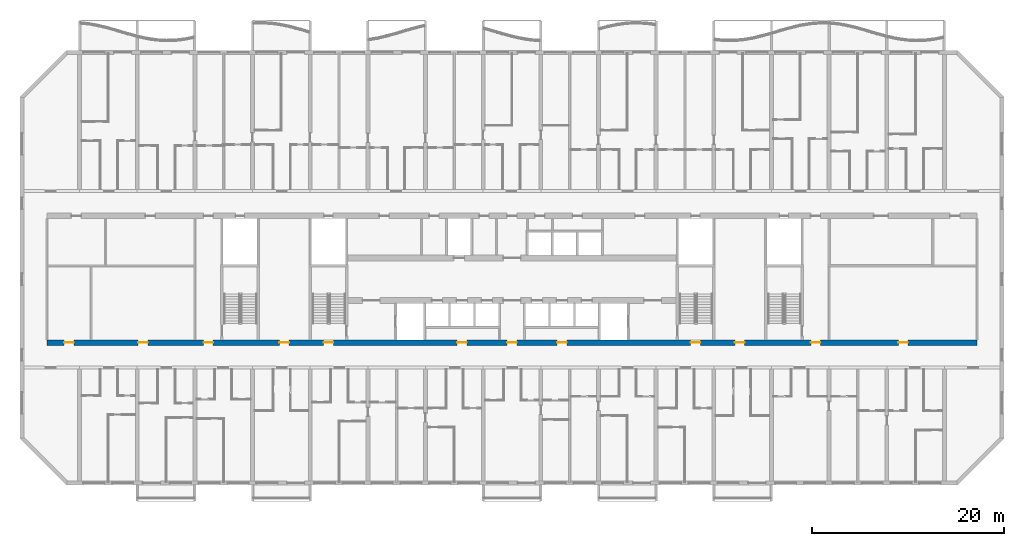
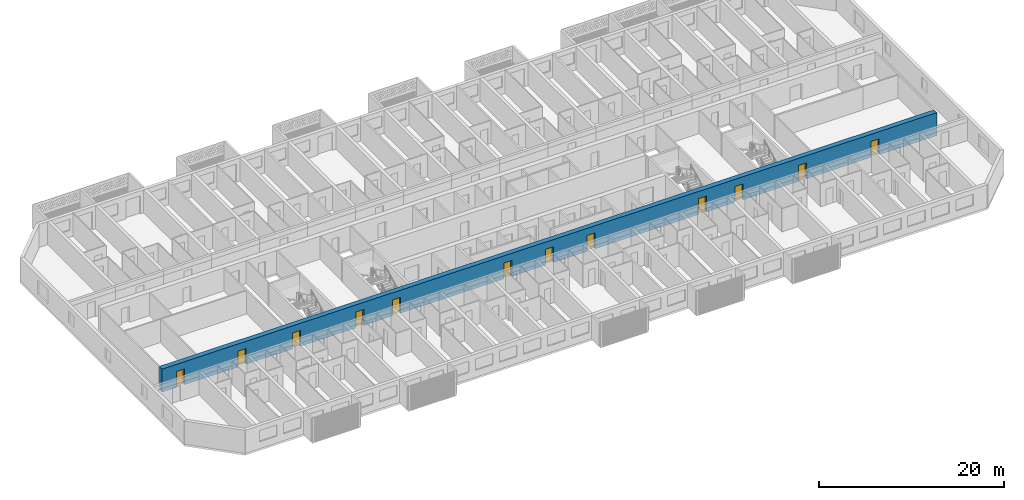
# One storey, part 7 of 40: 12 doors, 1 wall, 12 openings.
"""IFC4 building model written with IfcOpenShell, lengths in metres."""

from ifc_helpers import new_model, si_unit, direction, frame, frame_2d, origin, place, context, subcontext, project, spatial, rectangle, extrude, material, layer, layer_set, type_object, element, fill, save


model = new_model("IFC4")

# Units and contexts
model_context = context("Model", 3, precision=1e-05, world=origin(), true_north=direction((0.0, 1.0)))
body_context = subcontext(model_context, "Body", "Model", "MODEL_VIEW")
ifc_project = project(units=[si_unit("LENGTHUNIT", "METRE"), si_unit("AREAUNIT", "SQUARE_METRE"), si_unit("VOLUMEUNIT", "CUBIC_METRE"), si_unit("PLANEANGLEUNIT", "RADIAN"), si_unit("MASSUNIT", "GRAM", prefix="KILO")], contexts=[model_context])

# Site, building, storey
site_placement = place(None, origin())
site = spatial("IfcSite", under=ifc_project, at=site_placement, CompositionType="ELEMENT")
building_placement = place(site_placement, origin())
building = spatial("IfcBuilding", under=site, at=building_placement, Name="Poui Terraces", CompositionType="ELEMENT")
storey_placement = place(building_placement, frame((0.0, 0.0, 39.89990234375)))
storey = spatial("IfcBuildingStorey", under=building, at=storey_placement, Name="L10", CompositionType="ELEMENT", Elevation=39.89990234375)

# Wall, openings, doors
ifc_material_1 = material(Name="Concrete 80 MPa", Category="concrete")
ifc_layer = layer(ifc_material_1, 0.60009765625)
ifc_layer_set = layer_set([ifc_layer], Name="Concrete 80 MPa")
wall_type = type_object("IfcWallType", Name="SPINE WALL 600 80 MPA", PredefinedType="SOLIDWALL", material=ifc_layer_set)
wall_placement = place(storey_placement, frame((2.60009765625, 14.60009765625, 0.0), z_axis=(0.0, 0.0, 1.0), x_axis=(1.0, 0.0, 0.0)))
wall = element("IfcWall", 1, at=wall_placement, inside=storey, type_object=wall_type, Name="SPINE WALL", PredefinedType="SOLIDWALL", context=body_context, shape_type="SweptSolid", body=[
    extrude(rectangle(XDim=96.7998046875, YDim=0.60009765625, at=frame_2d((48.39990234375, 0.0))), origin(), (0.0, 0.0, 1.0), 3.050048828125),
])
opening_1_placement = place(wall_placement, frame((1.800048828125, 0.0, 0.0)))
opening_1 = element("IfcOpeningElement", 2, at=opening_1_placement, cuts=wall, Name="Opening FD60", PredefinedType="OPENING", context=body_context, shape_type="SweptSolid", body=[
    extrude(rectangle(XDim=1.0, YDim=2.10009765625, at=frame_2d((0.5, 1.050048828125))), frame((0.0, 0.31005859375, 0.0), z_axis=(0.0, -1.0, 0.0), x_axis=(1.0, 0.0, 0.0)), (0.0, 0.0, 1.0), 0.6201171875),
])
opening_2_placement = place(wall_placement, frame((9.5, 0.0, 0.0)))
opening_2 = element("IfcOpeningElement", 3, at=opening_2_placement, cuts=wall, Name="Opening FD60", PredefinedType="OPENING", context=body_context, shape_type="SweptSolid", body=[
    extrude(rectangle(XDim=1.0, YDim=2.10009765625, at=frame_2d((0.5, 1.050048828125))), frame((0.0, 0.31005859375, 0.0), z_axis=(0.0, -1.0, 0.0), x_axis=(1.0, 0.0, 0.0)), (0.0, 0.0, 1.0), 0.6201171875),
])
opening_3_placement = place(wall_placement, frame((16.300048828125, 0.0, 0.0)))
opening_3 = element("IfcOpeningElement", 4, at=opening_3_placement, cuts=wall, Name="Opening FDL", PredefinedType="OPENING", context=body_context, shape_type="SweptSolid", body=[
    extrude(rectangle(XDim=1.0, YDim=2.10009765625, at=frame_2d((0.5, 1.050048828125))), frame((0.0, 0.31005859375, 0.0), z_axis=(0.0, -1.0, 0.0), x_axis=(1.0, 0.0, 0.0)), (0.0, 0.0, 1.0), 0.6201171875),
])
opening_4_placement = place(wall_placement, frame((24.199951171875, 0.0, 0.0)))
opening_4 = element("IfcOpeningElement", 5, at=opening_4_placement, cuts=wall, Name="Opening D100", PredefinedType="OPENING", context=body_context, shape_type="SweptSolid", body=[
    extrude(rectangle(XDim=1.0, YDim=2.10009765625, at=frame_2d((0.5, 1.050048828125))), frame((0.0, 0.31005859375, 0.0), z_axis=(0.0, -1.0, 0.0), x_axis=(1.0, 0.0, 0.0)), (0.0, 0.0, 1.0), 0.6201171875),
])
opening_5_placement = place(wall_placement, frame((28.800048828125, 0.0, 0.0)))
opening_5 = element("IfcOpeningElement", 6, at=opening_5_placement, cuts=wall, Name="Opening FD60S", PredefinedType="OPENING", context=body_context, shape_type="SweptSolid", body=[
    extrude(rectangle(XDim=1.0, YDim=2.10009765625, at=frame_2d((0.5, 1.050048828125))), frame((0.0, 0.31005859375, 0.0), z_axis=(0.0, -1.0, 0.0), x_axis=(1.0, 0.0, 0.0)), (0.0, 0.0, 1.0), 0.6201171875),
])
opening_6_placement = place(wall_placement, frame((42.699951171875, 0.0, 0.0)))
opening_6 = element("IfcOpeningElement", 7, at=opening_6_placement, cuts=wall, Name="Opening FD60", PredefinedType="OPENING", context=body_context, shape_type="SweptSolid", body=[
    extrude(rectangle(XDim=1.0, YDim=2.10009765625, at=frame_2d((0.5, 1.050048828125))), frame((0.0, 0.31005859375, 0.0), z_axis=(0.0, -1.0, 0.0), x_axis=(1.0, 0.0, 0.0)), (0.0, 0.0, 1.0), 0.6201171875),
])
opening_7_placement = place(wall_placement, frame((47.89990234375, 0.0, 0.0)))
opening_7 = element("IfcOpeningElement", 8, at=opening_7_placement, cuts=wall, Name="Opening FDL", PredefinedType="OPENING", context=body_context, shape_type="SweptSolid", body=[
    extrude(rectangle(XDim=1.0, YDim=2.10009765625, at=frame_2d((0.5, 1.050048828125))), frame((0.0, 0.31005859375, 0.0), z_axis=(0.0, -1.0, 0.0), x_axis=(1.0, 0.0, 0.0)), (0.0, 0.0, 1.0), 0.6201171875),
])
opening_8_placement = place(wall_placement, frame((53.10009765625, 0.0, 0.0)))
opening_8 = element("IfcOpeningElement", 9, at=opening_8_placement, cuts=wall, Name="Opening FD60", PredefinedType="OPENING", context=body_context, shape_type="SweptSolid", body=[
    extrude(rectangle(XDim=1.0, YDim=2.10009765625, at=frame_2d((0.5, 1.050048828125))), frame((0.0, 0.31005859375, 0.0), z_axis=(0.0, -1.0, 0.0), x_axis=(1.0, 0.0, 0.0)), (0.0, 0.0, 1.0), 0.6201171875),
])
opening_9_placement = place(wall_placement, frame((67.0, 0.0, 0.0)))
opening_9 = element("IfcOpeningElement", 10, at=opening_9_placement, cuts=wall, Name="Opening FD60S", PredefinedType="OPENING", context=body_context, shape_type="SweptSolid", body=[
    extrude(rectangle(XDim=1.0, YDim=2.10009765625, at=frame_2d((0.5, 1.050048828125))), frame((0.0, 0.31005859375, 0.0), z_axis=(0.0, -1.0, 0.0), x_axis=(1.0, 0.0, 0.0)), (0.0, 0.0, 1.0), 0.6201171875),
])
opening_10_placement = place(wall_placement, frame((71.60009765625, 0.0, 0.0)))
opening_10 = element("IfcOpeningElement", 11, at=opening_10_placement, cuts=wall, Name="Opening D100", PredefinedType="OPENING", context=body_context, shape_type="SweptSolid", body=[
    extrude(rectangle(XDim=1.0, YDim=2.10009765625, at=frame_2d((0.5, 1.050048828125))), frame((0.0, 0.31005859375, 0.0), z_axis=(0.0, -1.0, 0.0), x_axis=(1.0, 0.0, 0.0)), (0.0, 0.0, 1.0), 0.6201171875),
])
opening_11_placement = place(wall_placement, frame((79.5, 0.0, 0.0)))
opening_11 = element("IfcOpeningElement", 12, at=opening_11_placement, cuts=wall, Name="Opening FDL", PredefinedType="OPENING", context=body_context, shape_type="SweptSolid", body=[
    extrude(rectangle(XDim=1.0, YDim=2.10009765625, at=frame_2d((0.5, 1.050048828125))), frame((0.0, 0.31005859375, 0.0), z_axis=(0.0, -1.0, 0.0), x_axis=(1.0, 0.0, 0.0)), (0.0, 0.0, 1.0), 0.6201171875),
])
opening_12_placement = place(wall_placement, frame((88.60009765625, 0.0, 0.0)))
opening_12 = element("IfcOpeningElement", 13, at=opening_12_placement, cuts=wall, Name="Opening FD60", PredefinedType="OPENING", context=body_context, shape_type="SweptSolid", body=[
    extrude(rectangle(XDim=1.0, YDim=2.10009765625, at=frame_2d((0.5, 1.050048828125))), frame((0.0, 0.31005859375, 0.0), z_axis=(0.0, -1.0, 0.0), x_axis=(1.0, 0.0, 0.0)), (0.0, 0.0, 1.0), 0.6201171875),
])
ifc_material_2 = material(Name="Solid core timber door", Category="wood")
door_type_1 = type_object("IfcDoorType", Name="ACCESSIBLE INTERNAL DOOR 1000 X 2100", OperationType="NOTDEFINED", PredefinedType="DOOR", material=ifc_material_2)
door_1_placement = place(opening_4_placement, frame((1.0, 0.0, 0.0), z_axis=(0.0, 0.0, 1.0), x_axis=(-1.0, 0.0, 0.0)))
door_1 = element("IfcDoor", 14, at=door_1_placement, inside=storey, type_object=door_type_1, Name="ACCESSIBLE INTERNAL DOOR 021", OperationType="SINGLE_SWING_LEFT", OverallHeight=2.10009765625, OverallWidth=1.0, PredefinedType="DOOR", context=body_context, shape_type="SweptSolid", body=[
    extrude(rectangle(XDim=1.0, YDim=2.10009765625, at=frame_2d((0.5, 1.050048828125))), frame((0.0, 0.02490234375, 0.0), z_axis=(0.0, -1.0, 0.0), x_axis=(1.0, 0.0, 0.0)), (0.0, 0.0, 1.0), 0.050048828125),
])
fill(opening_4, door_1)
door_2_placement = place(opening_10_placement, frame((1.0, 0.0, 0.0), z_axis=(0.0, 0.0, 1.0), x_axis=(-1.0, 0.0, 0.0)))
door_2 = element("IfcDoor", 15, at=door_2_placement, inside=storey, type_object=door_type_1, Name="ACCESSIBLE INTERNAL DOOR 027", OperationType="SINGLE_SWING_RIGHT", OverallHeight=2.10009765625, OverallWidth=1.0, PredefinedType="DOOR", context=body_context, shape_type="SweptSolid", body=[
    extrude(rectangle(XDim=1.0, YDim=2.10009765625, at=frame_2d((0.5, 1.050048828125))), frame((0.0, 0.02490234375, 0.0), z_axis=(0.0, -1.0, 0.0), x_axis=(1.0, 0.0, 0.0)), (0.0, 0.0, 1.0), 0.050048828125),
])
fill(opening_10, door_2)
ifc_material_3 = material(Name="Steel fire door", Category="steel")
door_type_2 = type_object("IfcDoorType", Name="LOBBY FIRE DOOR 1000 X 2100", OperationType="NOTDEFINED", PredefinedType="DOOR", material=ifc_material_3)
door_3_placement = place(opening_3_placement, frame((1.0, 0.0, 0.0), z_axis=(0.0, 0.0, 1.0), x_axis=(-1.0, 0.0, 0.0)))
door_3 = element("IfcDoor", 16, at=door_3_placement, inside=storey, type_object=door_type_2, Name="LOBBY FIRE DOOR 020", OperationType="SINGLE_SWING_RIGHT", OverallHeight=2.10009765625, OverallWidth=1.0, PredefinedType="DOOR", context=body_context, shape_type="SweptSolid", body=[
    extrude(rectangle(XDim=1.0, YDim=2.10009765625, at=frame_2d((0.5, 1.050048828125))), frame((0.0, 0.02490234375, 0.0), z_axis=(0.0, -1.0, 0.0), x_axis=(1.0, 0.0, 0.0)), (0.0, 0.0, 1.0), 0.050048828125),
])
fill(opening_3, door_3)
door_4_placement = place(opening_7_placement, frame((1.0, 0.0, 0.0), z_axis=(0.0, 0.0, 1.0), x_axis=(-1.0, 0.0, 0.0)))
door_4 = element("IfcDoor", 17, at=door_4_placement, inside=storey, type_object=door_type_2, Name="LOBBY FIRE DOOR 024", OperationType="SINGLE_SWING_LEFT", OverallHeight=2.10009765625, OverallWidth=1.0, PredefinedType="DOOR", context=body_context, shape_type="SweptSolid", body=[
    extrude(rectangle(XDim=1.0, YDim=2.10009765625, at=frame_2d((0.5, 1.050048828125))), frame((0.0, 0.02490234375, 0.0), z_axis=(0.0, -1.0, 0.0), x_axis=(1.0, 0.0, 0.0)), (0.0, 0.0, 1.0), 0.050048828125),
])
fill(opening_7, door_4)
door_5_placement = place(opening_11_placement, frame((1.0, 0.0, 0.0), z_axis=(0.0, 0.0, 1.0), x_axis=(-1.0, 0.0, 0.0)))
door_5 = element("IfcDoor", 18, at=door_5_placement, inside=storey, type_object=door_type_2, Name="LOBBY FIRE DOOR 028", OperationType="SINGLE_SWING_LEFT", OverallHeight=2.10009765625, OverallWidth=1.0, PredefinedType="DOOR", context=body_context, shape_type="SweptSolid", body=[
    extrude(rectangle(XDim=1.0, YDim=2.10009765625, at=frame_2d((0.5, 1.050048828125))), frame((0.0, 0.02490234375, 0.0), z_axis=(0.0, -1.0, 0.0), x_axis=(1.0, 0.0, 0.0)), (0.0, 0.0, 1.0), 0.050048828125),
])
fill(opening_11, door_5)
door_type_3 = type_object("IfcDoorType", Name="SERVICE ROOM FIRE DOOR 1000 X 2100", OperationType="NOTDEFINED", PredefinedType="DOOR", material=ifc_material_3)
door_6_placement = place(opening_1_placement, frame((1.0, 0.0, 0.0), z_axis=(0.0, 0.0, 1.0), x_axis=(-1.0, 0.0, 0.0)))
door_6 = element("IfcDoor", 19, at=door_6_placement, inside=storey, type_object=door_type_3, Name="SERVICE ROOM FIRE DOOR 018", OperationType="SINGLE_SWING_LEFT", OverallHeight=2.10009765625, OverallWidth=1.0, PredefinedType="DOOR", context=body_context, shape_type="SweptSolid", body=[
    extrude(rectangle(XDim=1.0, YDim=2.10009765625, at=frame_2d((0.5, 1.050048828125))), frame((0.0, 0.02490234375, 0.0), z_axis=(0.0, -1.0, 0.0), x_axis=(1.0, 0.0, 0.0)), (0.0, 0.0, 1.0), 0.050048828125),
])
fill(opening_1, door_6)
door_7_placement = place(opening_2_placement, frame((1.0, 0.0, 0.0), z_axis=(0.0, 0.0, 1.0), x_axis=(-1.0, 0.0, 0.0)))
door_7 = element("IfcDoor", 20, at=door_7_placement, inside=storey, type_object=door_type_3, Name="SERVICE ROOM FIRE DOOR 019", OperationType="SINGLE_SWING_RIGHT", OverallHeight=2.10009765625, OverallWidth=1.0, PredefinedType="DOOR", context=body_context, shape_type="SweptSolid", body=[
    extrude(rectangle(XDim=1.0, YDim=2.10009765625, at=frame_2d((0.5, 1.050048828125))), frame((0.0, 0.02490234375, 0.0), z_axis=(0.0, -1.0, 0.0), x_axis=(1.0, 0.0, 0.0)), (0.0, 0.0, 1.0), 0.050048828125),
])
fill(opening_2, door_7)
door_8_placement = place(opening_6_placement, frame((1.0, 0.0, 0.0), z_axis=(0.0, 0.0, 1.0), x_axis=(-1.0, 0.0, 0.0)))
door_8 = element("IfcDoor", 21, at=door_8_placement, inside=storey, type_object=door_type_3, Name="SERVICE ROOM FIRE DOOR 023", OperationType="SINGLE_SWING_LEFT", OverallHeight=2.10009765625, OverallWidth=1.0, PredefinedType="DOOR", context=body_context, shape_type="SweptSolid", body=[
    extrude(rectangle(XDim=1.0, YDim=2.10009765625, at=frame_2d((0.5, 1.050048828125))), frame((0.0, 0.02490234375, 0.0), z_axis=(0.0, -1.0, 0.0), x_axis=(1.0, 0.0, 0.0)), (0.0, 0.0, 1.0), 0.050048828125),
])
fill(opening_6, door_8)
door_9_placement = place(opening_8_placement, frame((1.0, 0.0, 0.0), z_axis=(0.0, 0.0, 1.0), x_axis=(-1.0, 0.0, 0.0)))
door_9 = element("IfcDoor", 22, at=door_9_placement, inside=storey, type_object=door_type_3, Name="SERVICE ROOM FIRE DOOR 025", OperationType="SINGLE_SWING_RIGHT", OverallHeight=2.10009765625, OverallWidth=1.0, PredefinedType="DOOR", context=body_context, shape_type="SweptSolid", body=[
    extrude(rectangle(XDim=1.0, YDim=2.10009765625, at=frame_2d((0.5, 1.050048828125))), frame((0.0, 0.02490234375, 0.0), z_axis=(0.0, -1.0, 0.0), x_axis=(1.0, 0.0, 0.0)), (0.0, 0.0, 1.0), 0.050048828125),
])
fill(opening_8, door_9)
door_10_placement = place(opening_12_placement, frame((1.0, 0.0, 0.0), z_axis=(0.0, 0.0, 1.0), x_axis=(-1.0, 0.0, 0.0)))
door_10 = element("IfcDoor", 23, at=door_10_placement, inside=storey, type_object=door_type_3, Name="SERVICE ROOM FIRE DOOR 029", OperationType="SINGLE_SWING_LEFT", OverallHeight=2.10009765625, OverallWidth=1.0, PredefinedType="DOOR", context=body_context, shape_type="SweptSolid", body=[
    extrude(rectangle(XDim=1.0, YDim=2.10009765625, at=frame_2d((0.5, 1.050048828125))), frame((0.0, 0.02490234375, 0.0), z_axis=(0.0, -1.0, 0.0), x_axis=(1.0, 0.0, 0.0)), (0.0, 0.0, 1.0), 0.050048828125),
])
fill(opening_12, door_10)
door_type_4 = type_object("IfcDoorType", Name="STAIR DOOR 1000 X 2100", OperationType="NOTDEFINED", PredefinedType="DOOR", material=ifc_material_3)
door_11_placement = place(opening_5_placement, origin())
door_11 = element("IfcDoor", 24, at=door_11_placement, inside=storey, type_object=door_type_4, Name="STAIR DOOR 022", OperationType="SINGLE_SWING_RIGHT", OverallHeight=2.10009765625, OverallWidth=1.0, PredefinedType="DOOR", context=body_context, shape_type="SweptSolid", body=[
    extrude(rectangle(XDim=1.0, YDim=2.10009765625, at=frame_2d((0.5, 1.050048828125))), frame((0.0, 0.02490234375, 0.0), z_axis=(0.0, -1.0, 0.0), x_axis=(1.0, 0.0, 0.0)), (0.0, 0.0, 1.0), 0.050048828125),
])
fill(opening_5, door_11)
door_12_placement = place(opening_9_placement, origin())
door_12 = element("IfcDoor", 25, at=door_12_placement, inside=storey, type_object=door_type_4, Name="STAIR DOOR 026", OperationType="SINGLE_SWING_RIGHT", OverallHeight=2.10009765625, OverallWidth=1.0, PredefinedType="DOOR", context=body_context, shape_type="SweptSolid", body=[
    extrude(rectangle(XDim=1.0, YDim=2.10009765625, at=frame_2d((0.5, 1.050048828125))), frame((0.0, 0.02490234375, 0.0), z_axis=(0.0, -1.0, 0.0), x_axis=(1.0, 0.0, 0.0)), (0.0, 0.0, 1.0), 0.050048828125),
])
fill(opening_9, door_12)

save(model, "model.ifc")
